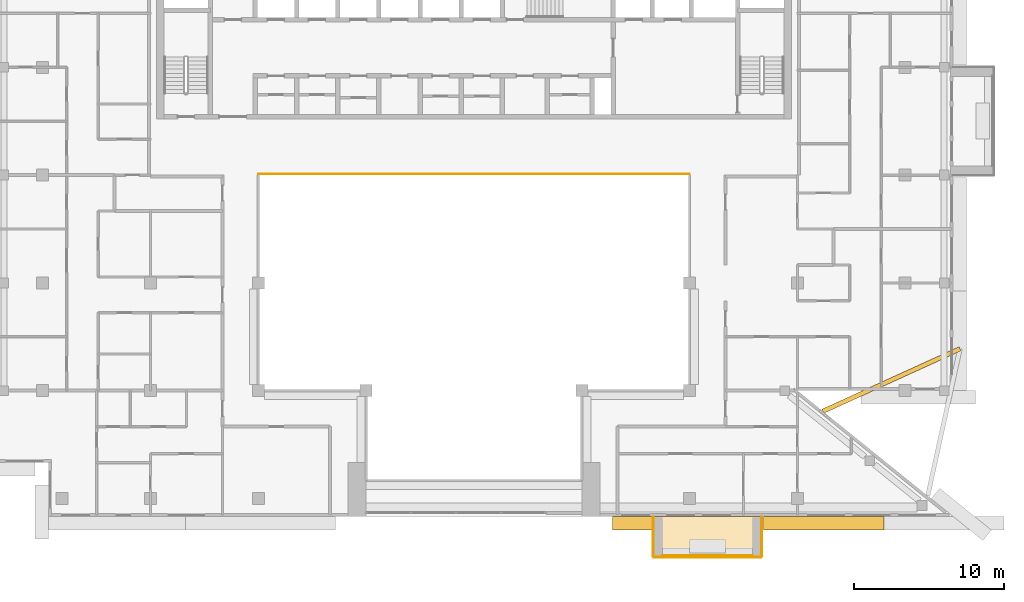
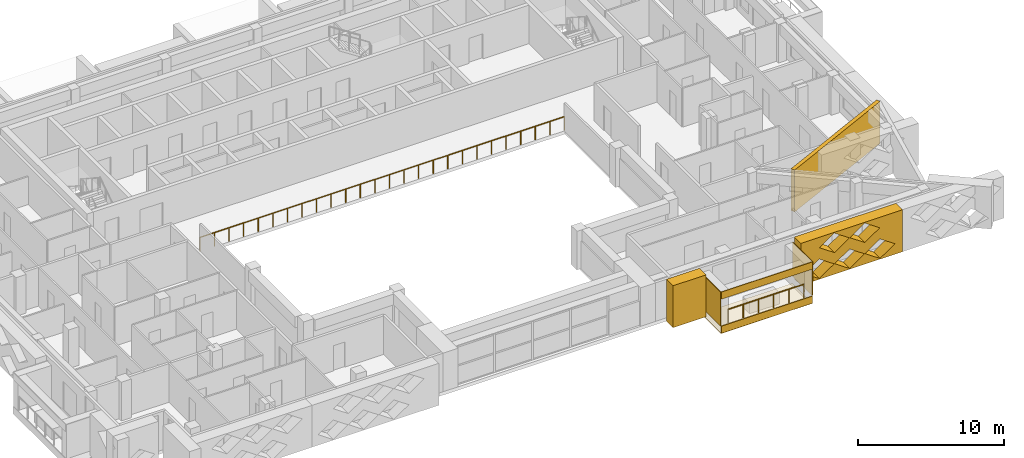
# One storey, part 15 of 19: 8 coverings, 2 railings.
"""IFC4 building model written with IfcOpenShell, lengths in metres."""

from ifc_helpers import new_model, si_unit, direction, frame, origin, origin_2d, place, context, subcontext, project, spatial, polyline, circle, outline, extrude, material, layer, layer_set, type_object, element, save


model = new_model("IFC4")

# Units and contexts
model_context = context("Model", 3, precision=1e-05, world=origin(), true_north=direction((0.0, 1.0)))
body_context = subcontext(model_context, "Body", "Model", "MODEL_VIEW")
ifc_project = project(units=[si_unit("LENGTHUNIT", "METRE"), si_unit("AREAUNIT", "SQUARE_METRE"), si_unit("VOLUMEUNIT", "CUBIC_METRE"), si_unit("PLANEANGLEUNIT", "RADIAN"), si_unit("MASSUNIT", "GRAM", prefix="KILO")], contexts=[model_context])

# Site, building, storey
site_placement = place(None, origin())
site = spatial("IfcSite", under=ifc_project, at=site_placement, CompositionType="ELEMENT")
building_placement = place(site_placement, origin())
building = spatial("IfcBuilding", under=site, at=building_placement, Name="Saffron Iwan Residences", CompositionType="ELEMENT")
storey_placement = place(building_placement, frame((0.0, 0.0, 250.0)))
storey = spatial("IfcBuildingStorey", under=building, at=storey_placement, Name="L67", CompositionType="ELEMENT", Elevation=250.0)

# Railings
ifc_material_1 = material(Name="Stainless steel 316", Category="steel")
railing_type_1 = type_object("IfcRailingType", Name="Atrium guard 1150", PredefinedType="GUARDRAIL", material=ifc_material_1)
railing_1_placement = place(storey_placement, frame((36.0, 62.47509765625, 0.0)))
element("IfcRailing", 1, at=railing_1_placement, inside=storey, type_object=railing_type_1, Name="Atrium guard L67", PredefinedType="GUARDRAIL", context=body_context, shape_type="SweptSolid", body=[
    extrude(circle(Radius=0.02392578125, at=origin_2d()), frame((0.0, 0.0, 1.1259765625), z_axis=(1.0, 0.0, 0.0), x_axis=(0.0, 1.0, 0.0)), (0.0, 0.0, 1.0), 28.800048828125),
    extrude(circle(Radius=0.02099609375, at=origin_2d()), origin(), (0.0, 0.0, 1.0), 1.101806640625),
    extrude(circle(Radius=0.02099609375, at=origin_2d()), frame((1.152099609375, 0.0, 0.0)), (0.0, 0.0, 1.0), 1.101806640625),
    extrude(circle(Radius=0.02099609375, at=origin_2d()), frame((2.303955078125, 0.0, 0.0)), (0.0, 0.0, 1.0), 1.101806640625),
    extrude(circle(Radius=0.02099609375, at=origin_2d()), frame((3.4560546875, 0.0, 0.0)), (0.0, 0.0, 1.0), 1.101806640625),
    extrude(circle(Radius=0.02099609375, at=origin_2d()), frame((4.60791015625, 0.0, 0.0)), (0.0, 0.0, 1.0), 1.101806640625),
    extrude(circle(Radius=0.02099609375, at=origin_2d()), frame((5.760009765625, 0.0, 0.0)), (0.0, 0.0, 1.0), 1.101806640625),
    extrude(circle(Radius=0.02099609375, at=origin_2d()), frame((6.912109375, 0.0, 0.0)), (0.0, 0.0, 1.0), 1.101806640625),
    extrude(circle(Radius=0.02099609375, at=origin_2d()), frame((8.06396484375, 0.0, 0.0)), (0.0, 0.0, 1.0), 1.101806640625),
    extrude(circle(Radius=0.02099609375, at=origin_2d()), frame((9.216064453125, 0.0, 0.0)), (0.0, 0.0, 1.0), 1.101806640625),
    extrude(circle(Radius=0.02099609375, at=origin_2d()), frame((10.367919921875, 0.0, 0.0)), (0.0, 0.0, 1.0), 1.101806640625),
    extrude(circle(Radius=0.02099609375, at=origin_2d()), frame((11.52001953125, 0.0, 0.0)), (0.0, 0.0, 1.0), 1.101806640625),
    extrude(circle(Radius=0.02099609375, at=origin_2d()), frame((12.672119140625, 0.0, 0.0)), (0.0, 0.0, 1.0), 1.101806640625),
    extrude(circle(Radius=0.02099609375, at=origin_2d()), frame((13.823974609375, 0.0, 0.0)), (0.0, 0.0, 1.0), 1.101806640625),
    extrude(circle(Radius=0.02099609375, at=origin_2d()), frame((14.97607421875, 0.0, 0.0)), (0.0, 0.0, 1.0), 1.101806640625),
    extrude(circle(Radius=0.02099609375, at=origin_2d()), frame((16.1279296875, 0.0, 0.0)), (0.0, 0.0, 1.0), 1.101806640625),
    extrude(circle(Radius=0.02099609375, at=origin_2d()), frame((17.280029296875, 0.0, 0.0)), (0.0, 0.0, 1.0), 1.101806640625),
    extrude(circle(Radius=0.02099609375, at=origin_2d()), frame((18.43212890625, 0.0, 0.0)), (0.0, 0.0, 1.0), 1.101806640625),
    extrude(circle(Radius=0.02099609375, at=origin_2d()), frame((19.583984375, 0.0, 0.0)), (0.0, 0.0, 1.0), 1.101806640625),
    extrude(circle(Radius=0.02099609375, at=origin_2d()), frame((20.736083984375, 0.0, 0.0)), (0.0, 0.0, 1.0), 1.101806640625),
    extrude(circle(Radius=0.02099609375, at=origin_2d()), frame((21.887939453125, 0.0, 0.0)), (0.0, 0.0, 1.0), 1.101806640625),
    extrude(circle(Radius=0.02099609375, at=origin_2d()), frame((23.0400390625, 0.0, 0.0)), (0.0, 0.0, 1.0), 1.101806640625),
    extrude(circle(Radius=0.02099609375, at=origin_2d()), frame((24.192138671875, 0.0, 0.0)), (0.0, 0.0, 1.0), 1.101806640625),
    extrude(circle(Radius=0.02099609375, at=origin_2d()), frame((25.343994140625, 0.0, 0.0)), (0.0, 0.0, 1.0), 1.101806640625),
    extrude(circle(Radius=0.02099609375, at=origin_2d()), frame((26.49609375, 0.0, 0.0)), (0.0, 0.0, 1.0), 1.101806640625),
    extrude(circle(Radius=0.02099609375, at=origin_2d()), frame((27.64794921875, 0.0, 0.0)), (0.0, 0.0, 1.0), 1.101806640625),
    extrude(circle(Radius=0.02099609375, at=origin_2d()), frame((28.800048828125, 0.0, 0.0)), (0.0, 0.0, 1.0), 1.101806640625),
])
railing_type_2 = type_object("IfcRailingType", Name="BALCONY GUARD 1150", PredefinedType="GUARDRAIL", material=ifc_material_1)
railing_2_placement = place(storey_placement, frame((63.0, 36.97509765625, 0.0)))
element("IfcRailing", 2, at=railing_2_placement, inside=storey, type_object=railing_type_2, Name="Balcony guard L67 11-1", PredefinedType="GUARDRAIL", context=body_context, shape_type="SweptSolid", body=[
    extrude(circle(Radius=0.02392578125, at=origin_2d()), frame((0.0, 0.0, 1.1259765625), z_axis=(1.0, 0.0, 0.0), x_axis=(0.0, 1.0, 0.0)), (0.0, 0.0, 1.0), 6.0),
    extrude(circle(Radius=0.02099609375, at=origin_2d()), origin(), (0.0, 0.0, 1.0), 1.101806640625),
    extrude(circle(Radius=0.02099609375, at=origin_2d()), frame((1.199951171875, 0.0, 0.0)), (0.0, 0.0, 1.0), 1.101806640625),
    extrude(circle(Radius=0.02099609375, at=origin_2d()), frame((2.39990234375, 0.0, 0.0)), (0.0, 0.0, 1.0), 1.101806640625),
    extrude(circle(Radius=0.02099609375, at=origin_2d()), frame((3.60009765625, 0.0, 0.0)), (0.0, 0.0, 1.0), 1.101806640625),
    extrude(circle(Radius=0.02099609375, at=origin_2d()), frame((4.800048828125, 0.0, 0.0)), (0.0, 0.0, 1.0), 1.101806640625),
    extrude(circle(Radius=0.02099609375, at=origin_2d()), frame((6.0, 0.0, 0.0)), (0.0, 0.0, 1.0), 1.101806640625),
])

# Coverings
ifc_material_2 = material(Name="Precast concrete C40/50 white painted", Category="concrete")
ifc_layer_1 = layer(ifc_material_2, 0.050048828125)
ifc_layer_set_1 = layer_set([ifc_layer_1], Name="Precast concrete C40/50 white painted")
covering_type_1 = type_object("IfcCoveringType", Name="FRAME SKIN PRECAST WHITE 50", PredefinedType="CLADDING", material=ifc_layer_set_1)
for number, where, name in (
    (3, (0.0, 0.0, -0.60009765625), "Frame skin slab edge L67 11-1"),
    (4, (0.0, 0.0, 2.25), "Frame skin fascia L67 11-1"),
):
    element("IfcCovering", number, at=place(storey_placement, frame(where)), inside=storey, type_object=covering_type_1, Name=name, PredefinedType="CLADDING", context=body_context, shape_type="SweptSolid", body=[
        extrude(outline(polyline([(62.39990234375, 36.85009765625), (69.60009765625, 36.85009765625), (69.60009765625, 36.89990234375), (62.39990234375, 36.89990234375), (62.39990234375, 36.85009765625)])), origin(), (0.0, 0.0, 1.0), 0.60009765625),
    ])
covering_1_placement = place(storey_placement, frame((0.0, 0.0, -0.64990234375)))
element("IfcCovering", 5, at=covering_1_placement, inside=storey, type_object=covering_type_1, Name="Frame skin soffit L67 11-1", PredefinedType="CLADDING", context=body_context, shape_type="SweptSolid", body=[
    extrude(outline(polyline([(62.39990234375, 36.89990234375), (69.60009765625, 36.89990234375), (69.60009765625, 39.60009765625), (62.39990234375, 39.60009765625), (62.39990234375, 36.89990234375)])), origin(), (0.0, 0.0, 1.0), 0.0498046875),
])
covering_2_placement = place(storey_placement, origin())
element("IfcCovering", 6, at=covering_2_placement, inside=storey, type_object=covering_type_1, Name="Frame skin fin L67 11-1a", PredefinedType="CLADDING", context=body_context, shape_type="SweptSolid", body=[
    extrude(outline(polyline([(62.35009765625, 36.89990234375), (62.39990234375, 36.89990234375), (62.39990234375, 39.60009765625), (62.35009765625, 39.60009765625), (62.35009765625, 36.89990234375)])), origin(), (0.0, 0.0, 1.0), 2.85009765625),
])
covering_3_placement = place(storey_placement, origin())
element("IfcCovering", 7, at=covering_3_placement, inside=storey, type_object=covering_type_1, Name="Frame skin fin L67 11-1b", PredefinedType="CLADDING", context=body_context, shape_type="SweptSolid", body=[
    extrude(outline(polyline([(69.60009765625, 36.89990234375), (69.64990234375, 36.89990234375), (69.64990234375, 39.60009765625), (69.60009765625, 39.60009765625), (69.60009765625, 36.89990234375)])), origin(), (0.0, 0.0, 1.0), 2.85009765625),
])
ifc_material_3 = material(Name="Precast concrete C40/50", Category="concrete")
covering_type_2 = type_object("IfcCoveringType", Name="OUTER SKIN LATTICE SCREEN", PredefinedType="CLADDING", material=ifc_material_3)
covering_4_placement = place(storey_placement, frame((59.64990234375, 39.60009765625, -0.280029296875), z_axis=(0.0, -1.0, 0.0), x_axis=(1.0, 0.0, 0.0)))
element("IfcCovering", 8, at=covering_4_placement, inside=storey, type_object=covering_type_2, Name="OUTER SKIN lattice screen L67 F11.2", PredefinedType="CLADDING", context=body_context, shape_type="SweptSolid", body=[
    extrude(outline(polyline([(0.0, 0.0), (2.60009765625, 0.0), (2.60009765625, 3.5), (0.0, 3.5), (0.0, 0.0)])), origin(), (0.0, 0.0, 1.0), 0.900146484375),
])
covering_5_placement = place(storey_placement, frame((69.75, 39.60009765625, -0.280029296875), z_axis=(0.0, -1.0, 0.0), x_axis=(1.0, 0.0, 0.0)))
element("IfcCovering", 9, at=covering_5_placement, inside=storey, type_object=covering_type_2, Name="OUTER SKIN lattice screen L67 F11.3", PredefinedType="CLADDING", context=body_context, shape_type="SweptSolid", body=[
    extrude(outline(polyline([(0.0, 0.0), (8.022705078125, 0.0), (8.022705078125, 3.5), (0.0, 3.5), (0.0, 0.0)]), holes=[polyline([(0.27001953125, 0.875), (1.449951171875, 0.06005859375), (2.6298828125, 0.875), (1.449951171875, 1.68994140625), (0.27001953125, 0.875)]), polyline([(2.669921875, 0.875), (3.85009765625, 0.06005859375), (5.030029296875, 0.875), (3.85009765625, 1.68994140625), (2.669921875, 0.875)]), polyline([(5.070068359375, 0.875), (6.25, 0.06005859375), (7.429931640625, 0.875), (6.25, 1.68994140625), (5.070068359375, 0.875)]), polyline([(1.469970703125, 2.625), (2.64990234375, 1.81005859375), (3.830078125, 2.625), (2.64990234375, 3.43994140625), (1.469970703125, 2.625)]), polyline([(3.8701171875, 2.625), (5.050048828125, 1.81005859375), (6.22998046875, 2.625), (5.050048828125, 3.43994140625), (3.8701171875, 2.625)])]), origin(), (0.0, 0.0, 1.0), 0.900146484375),
])
ifc_layer_2 = layer(ifc_material_2, 0.300048828125)
ifc_layer_set_2 = layer_set([ifc_layer_2], Name="Precast concrete C40/50 white painted")
covering_type_3 = type_object("IfcCoveringType", Name="PROW NOSE BLADE PRECAST WHITE", PredefinedType="CLADDING", material=ifc_layer_set_2)
covering_6_placement = place(storey_placement, frame((0.0, 0.0, -0.280029296875)))
element("IfcCovering", 10, at=covering_6_placement, inside=storey, type_object=covering_type_3, Name="Prow nose blade L67 b", PredefinedType="CLADDING", context=body_context, shape_type="SweptSolid", body=[
    extrude(outline(polyline([(73.761474609375, 46.490966796875), (82.917236328125, 50.6650390625), (82.792724609375, 50.93798828125), (73.636962890625, 46.763916015625), (73.761474609375, 46.490966796875)])), origin(), (0.0, 0.0, 1.0), 3.5),
])

save(model, "model.ifc")
